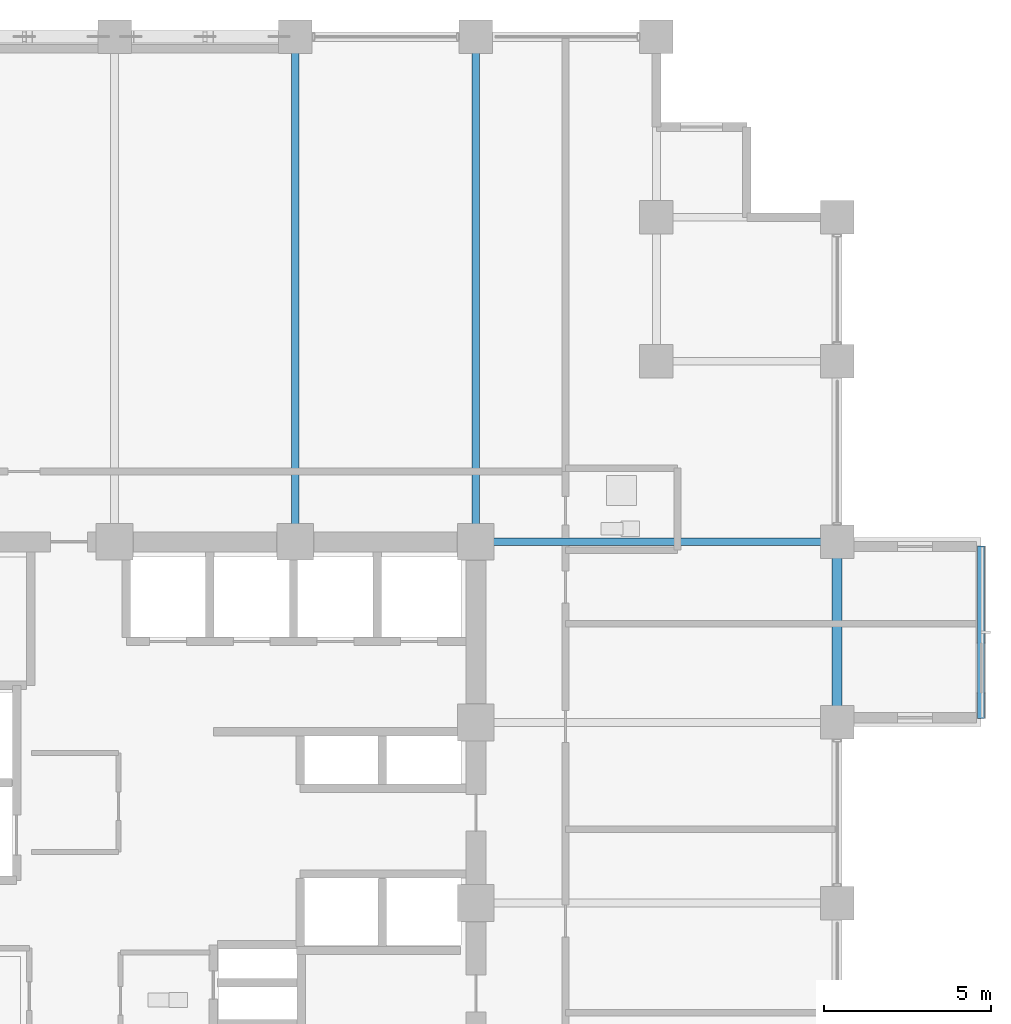
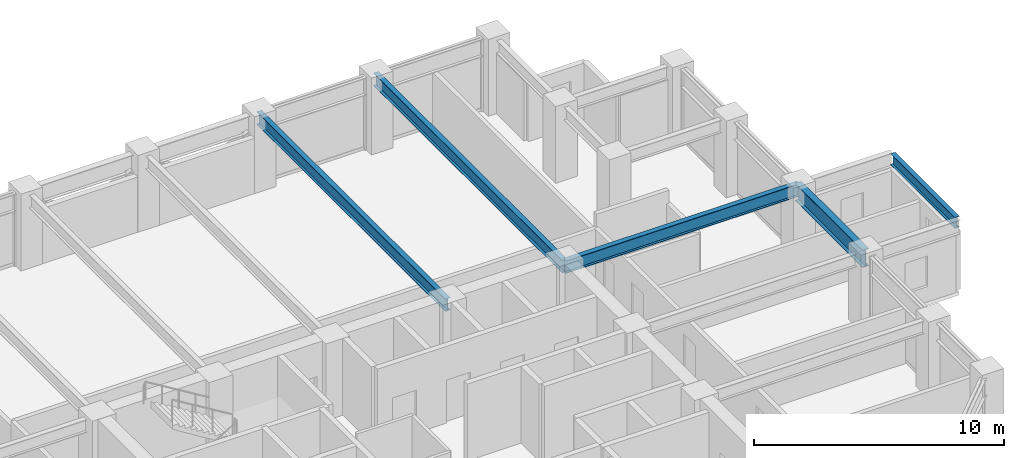
# One storey, part 16 of 29: 5 beams.
"""IFC4 building model written with IfcOpenShell, lengths in metres."""

from ifc_helpers import new_model, si_unit, direction, frame, origin, origin_2d, place, context, subcontext, project, spatial, i_section, extrude, material, material_profile, profile_set, type_object, element, save


model = new_model("IFC4")

# Units and contexts
model_context = context("Model", 3, precision=1e-05, world=origin(), true_north=direction((0.0, 1.0)))
body_context = subcontext(model_context, "Body", "Model", "MODEL_VIEW")
ifc_project = project(units=[si_unit("LENGTHUNIT", "METRE"), si_unit("AREAUNIT", "SQUARE_METRE"), si_unit("VOLUMEUNIT", "CUBIC_METRE"), si_unit("PLANEANGLEUNIT", "RADIAN"), si_unit("MASSUNIT", "GRAM", prefix="KILO")], contexts=[model_context])

# Site, building, storey
site_placement = place(None, origin())
site = spatial("IfcSite", under=ifc_project, at=site_placement, CompositionType="ELEMENT")
building_placement = place(site_placement, origin())
building = spatial("IfcBuilding", under=site, at=building_placement, Name="Surkhivell Harbour Commons", CompositionType="ELEMENT")
storey_placement = place(building_placement, frame((0.0, 0.0, 154.5)))
storey = spatial("IfcBuildingStorey", under=building, at=storey_placement, Name="L40", CompositionType="ELEMENT", Elevation=154.5)

# Beams
ifc_material_1 = material(Name="Steel S355", Category="steel")
ifc_material_profile_1 = material_profile(ifc_material_1, i_section(OverallWidth=0.2099609375, OverallDepth=0.537109375, WebThickness=0.0107421875, FlangeThickness=0.017333984375, at=origin_2d()), Name="UB533x210x101")
ifc_profile_set_1 = profile_set([ifc_material_profile_1], Name="Steel S355")
beam_type_1 = type_object("IfcBeamType", Name="BM-GRD-533B", PredefinedType="BEAM", material=ifc_profile_set_1)
beam_1_placement = place(storey_placement, frame((25.89990234375, 5.52197265625, 3.301513671875), z_axis=(0.0, 1.0, 0.0), x_axis=(-1.0, 0.0, 0.0)))
element("IfcBeam", 1, at=beam_1_placement, inside=storey, type_object=beam_type_1, Name="L40 Box Rim Spandrel (25.9,5.4)", PredefinedType="BEAM", context=body_context, shape_type="SweptSolid", body=[
    extrude(i_section(OverallWidth=0.2099609375, OverallDepth=0.537109375, WebThickness=0.0107421875, FlangeThickness=0.017333984375, at=origin_2d()), origin(), (0.0, 0.0, 1.0), 5.156005859375),
])
ifc_material_profile_2 = material_profile(ifc_material_1, i_section(OverallWidth=0.22998046875, OverallDepth=0.616943359375, WebThickness=0.01318359375, FlangeThickness=0.022216796875, at=origin_2d()), Name="UB610x229x140")
ifc_profile_set_2 = profile_set([ifc_material_profile_2], Name="Steel S355")
beam_type_2 = type_object("IfcBeamType", Name="BM-GRD-610B", PredefinedType="BEAM", material=ifc_profile_set_2)
beam_2_placement = place(storey_placement, frame((10.800048828125, 10.800048828125, 3.261474609375), z_axis=(1.0, 0.0, 0.0), x_axis=(0.0, 1.0, 0.0)))
element("IfcBeam", 2, at=beam_2_placement, inside=storey, type_object=beam_type_2, Name="L40 Cantilever Back-Span Girder (10.8,10.8)", PredefinedType="BEAM", context=body_context, shape_type="SweptSolid", body=[
    extrude(i_section(OverallWidth=0.22998046875, OverallDepth=0.616943359375, WebThickness=0.01318359375, FlangeThickness=0.022216796875, at=origin_2d()), origin(), (0.0, 0.0, 1.0), 10.800048828125),
])
for number, where, z_axis, x_axis, name in (
    (3, (5.39990234375, 10.800048828125, 3.261474609375), (0.0, 1.0, 0.0), (-1.0, 0.0, 0.0), "L40 Floor Girder (5.4,10.8)"),
    (4, (10.800048828125, 10.800048828125, 3.261474609375), (0.0, 1.0, 0.0), (-1.0, 0.0, 0.0), "L40 Floor Girder (10.8,10.8)"),
):
    element("IfcBeam", number, at=place(storey_placement, frame(where, z_axis=z_axis, x_axis=x_axis)), inside=storey, type_object=beam_type_2, Name=name, PredefinedType="BEAM", context=body_context, shape_type="SweptSolid", body=[
        extrude(i_section(OverallWidth=0.22998046875, OverallDepth=0.616943359375, WebThickness=0.01318359375, FlangeThickness=0.022216796875, at=origin_2d()), origin(), (0.0, 0.0, 1.0), 15.099853515625),
    ])
ifc_material_2 = material(Name="Steel S460", Category="steel")
ifc_material_profile_3 = material_profile(ifc_material_2, i_section(OverallWidth=0.2939453125, OverallDepth=0.85107421875, WebThickness=0.01611328125, FlangeThickness=0.02685546875, at=origin_2d()), Name="UB838x292x226")
ifc_profile_set_3 = profile_set([ifc_material_profile_3], Name="Steel S460")
beam_type_3 = type_object("IfcBeamType", Name="BM-SPN-838", PredefinedType="SPANDREL", material=ifc_profile_set_3)
beam_3_placement = place(storey_placement, frame((21.60009765625, 5.39990234375, 3.14453125), z_axis=(0.0, 1.0, 0.0), x_axis=(-1.0, 0.0, 0.0)))
element("IfcBeam", 5, at=beam_3_placement, inside=storey, type_object=beam_type_3, Name="L40 Tube Spandrel (21.6,5.4)", PredefinedType="SPANDREL", context=body_context, shape_type="SweptSolid", body=[
    extrude(i_section(OverallWidth=0.2939453125, OverallDepth=0.85107421875, WebThickness=0.01611328125, FlangeThickness=0.02685546875, at=origin_2d()), origin(), (0.0, 0.0, 1.0), 5.400146484375),
])

save(model, "model.ifc")
